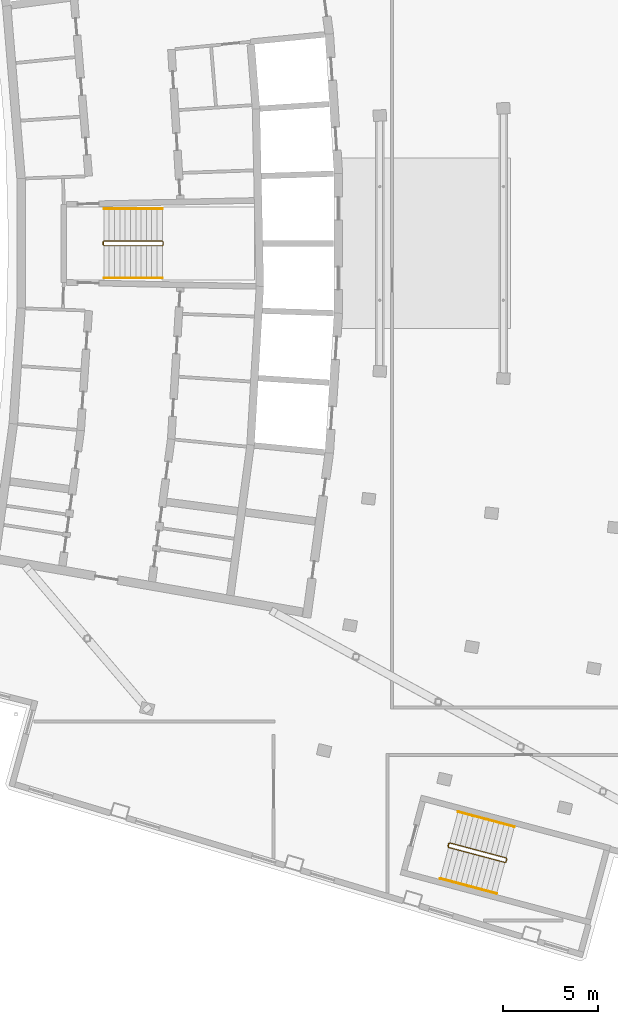
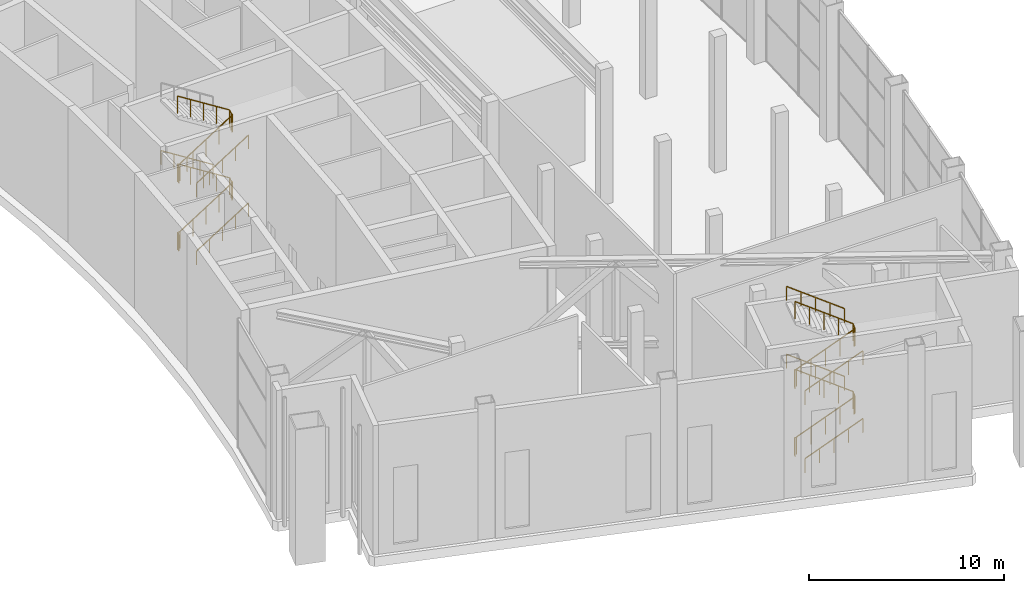
# One storey, part 23 of 25: 9 railings.
"""IFC4 building model written with IfcOpenShell, lengths in metres."""

from ifc_helpers import new_model, si_unit, direction, frame, origin, origin_with_axes, origin_2d, place, context, subcontext, project, spatial, rectangle, extrude, material, type_object, element, save


model = new_model("IFC4")

# Units and contexts
model_context = context("Model", 3, precision=1e-05, world=origin(), true_north=direction((0.0, 1.0)))
body_context = subcontext(model_context, "Body", "Model", "MODEL_VIEW")
ifc_project = project(units=[si_unit("LENGTHUNIT", "METRE"), si_unit("AREAUNIT", "SQUARE_METRE"), si_unit("VOLUMEUNIT", "CUBIC_METRE"), si_unit("PLANEANGLEUNIT", "RADIAN"), si_unit("MASSUNIT", "GRAM", prefix="KILO")], contexts=[model_context])

# Site, building, storey
site_placement = place(None, origin())
site = spatial("IfcSite", under=ifc_project, at=site_placement, CompositionType="ELEMENT")
building_placement = place(site_placement, origin())
building = spatial("IfcBuilding", under=site, at=building_placement, Name="Alderwake Tower", CompositionType="ELEMENT")
storey_placement = place(building_placement, frame((0.0, 0.0, 296.0)))
storey = spatial("IfcBuildingStorey", under=building, at=storey_placement, Name="L73", CompositionType="ELEMENT", Elevation=296.0)

# Railings
ifc_material_1 = material(Name="Stainless steel guard", Category="steel")
railing_type_1 = type_object("IfcRailingType", Name="Stair guard 1100", PredefinedType="GUARDRAIL", material=ifc_material_1)
railing_1_placement = place(storey_placement, frame((20.989990234375, 60.925048828125, 0.0)))
element("IfcRailing", 1, at=railing_1_placement, inside=storey, type_object=railing_type_1, Name="L73 ST-B stair guard 1", PredefinedType="GUARDRAIL", context=body_context, shape_type="SweptSolid", body=[
    extrude(rectangle(XDim=0.048095703125, YDim=0.048095703125, at=origin_2d()), frame((0.0, 0.0, 1.076171875), z_axis=(0.0, 1.0, 0.0), x_axis=(-1.0, 0.0, 0.0)), (0.0, 0.0, 1.0), 0.14990234375),
    extrude(rectangle(XDim=0.048095703125, YDim=0.048095703125, at=origin_2d()), frame((0.0, 0.14990234375, 1.076171875), z_axis=(0.184213502759, -0.735955408585, 0.651486778051), x_axis=(0.970072785993, 0.242814311512, 0.0)), (0.0, 0.0, 1.0), 0.271728515625),
    extrude(rectangle(XDim=0.048095703125, YDim=0.048095703125, at=origin_2d()), frame((0.050048828125, -0.050048828125, 1.2529296875), z_axis=(0.845156040024, 0.0, 0.534519661014), x_axis=(0.0, 1.0, 0.0)), (0.0, 0.0, 1.0), 3.644287109375),
    extrude(rectangle(XDim=0.048095703125, YDim=0.048095703125, at=origin_2d()), frame((3.130126953125, -0.050048828125, 3.201171875), z_axis=(0.705375805398, 0.708833529934, 0.0), x_axis=(-0.708833529934, 0.705375805398, 0.0)), (0.0, 0.0, 1.0), 0.070556640625),
    extrude(rectangle(XDim=0.048095703125, YDim=0.048095703125, at=origin_2d()), frame((3.179931640625, 0.0, 3.201171875), z_axis=(0.0, 1.0, 0.0), x_axis=(-1.0, 0.0, 0.0)), (0.0, 0.0, 1.0), 0.14990234375),
    extrude(rectangle(XDim=0.048095703125, YDim=0.048095703125, at=origin_2d()), frame((3.179931640625, 0.14990234375, 3.201171875), z_axis=(-0.261352522353, 0.262633662168, 0.928826366204), x_axis=(-0.708833529934, -0.705375805398, 0.0)), (0.0, 0.0, 1.0), 0.190673828125),
    extrude(rectangle(XDim=0.048095703125, YDim=0.048095703125, at=origin_2d()), frame((3.130126953125, 0.199951171875, 3.3779296875), z_axis=(-0.845156040024, 0.0, 0.534519661014), x_axis=(0.0, -1.0, 0.0)), (0.0, 0.0, 1.0), 3.644287109375),
    extrude(rectangle(XDim=0.048095703125, YDim=0.048095703125, at=origin_2d()), frame((0.050048828125, 0.199951171875, 5.326171875), z_axis=(-0.242814311512, -0.970072785993, 0.0), x_axis=(0.970072785993, -0.242814311512, 0.0)), (0.0, 0.0, 1.0), 0.2060546875),
    extrude(rectangle(XDim=0.048095703125, YDim=0.048095703125, at=origin_2d()), frame((0.0, 0.0, 5.326171875), z_axis=(0.0, 1.0, 0.0), x_axis=(-1.0, 0.0, 0.0)), (0.0, 0.0, 1.0), 0.14990234375),
    extrude(rectangle(XDim=0.048095703125, YDim=0.048095703125, at=origin_2d()), frame((0.0, 0.14990234375, 5.326171875), z_axis=(0.184213502759, -0.735955408585, 0.651486778051), x_axis=(0.970072785993, 0.242814311512, 0.0)), (0.0, 0.0, 1.0), 0.271728515625),
    extrude(rectangle(XDim=0.048095703125, YDim=0.048095703125, at=origin_2d()), frame((0.050048828125, -0.050048828125, 5.5029296875), z_axis=(0.845156040024, 0.0, 0.534519661014), x_axis=(0.0, 1.0, 0.0)), (0.0, 0.0, 1.0), 3.644287109375),
    extrude(rectangle(XDim=0.048095703125, YDim=0.048095703125, at=origin_2d()), frame((3.130126953125, -0.050048828125, 7.451171875), z_axis=(0.705375805398, 0.708833529934, 0.0), x_axis=(-0.708833529934, 0.705375805398, 0.0)), (0.0, 0.0, 1.0), 0.070556640625),
    extrude(rectangle(XDim=0.048095703125, YDim=0.048095703125, at=origin_2d()), frame((3.179931640625, 0.0, 7.451171875), z_axis=(0.0, 1.0, 0.0), x_axis=(-1.0, 0.0, 0.0)), (0.0, 0.0, 1.0), 0.14990234375),
    extrude(rectangle(XDim=0.048095703125, YDim=0.048095703125, at=origin_2d()), frame((3.179931640625, 0.14990234375, 7.451171875), z_axis=(-0.261352522353, 0.262633662168, 0.928826366204), x_axis=(-0.708833529934, -0.705375805398, 0.0)), (0.0, 0.0, 1.0), 0.190673828125),
    extrude(rectangle(XDim=0.048095703125, YDim=0.048095703125, at=origin_2d()), frame((3.130126953125, 0.199951171875, 7.6279296875), z_axis=(-0.845156040024, 0.0, 0.534519661014), x_axis=(0.0, -1.0, 0.0)), (0.0, 0.0, 1.0), 3.644287109375),
    extrude(rectangle(XDim=0.0419921875, YDim=0.0419921875, at=origin_2d()), frame((0.0, 0.0, 0.0), z_axis=(0.0, 0.0, 1.0), x_axis=(0.0, 1.0, 0.0)), (0.0, 0.0, 1.0), 1.052001953125),
    extrude(rectangle(XDim=0.0419921875, YDim=0.0419921875, at=origin_2d()), frame((0.0, 0.14990234375, 0.0), z_axis=(0.0, 0.0, 1.0), x_axis=(0.242814311512, -0.970072785993, 0.0)), (0.0, 0.0, 1.0), 1.052001953125),
    extrude(rectangle(XDim=0.0419921875, YDim=0.0419921875, at=origin_2d()), frame((0.050048828125, -0.050048828125, 0.177001953125), z_axis=(0.0, 0.0, 1.0), x_axis=(1.0, 0.0, 0.0)), (0.0, 0.0, 1.0), 1.052001953125),
    extrude(rectangle(XDim=0.0419921875, YDim=0.0419921875, at=origin_2d()), frame((0.820068359375, -0.050048828125, 0.6640625), z_axis=(0.0, 0.0, 1.0), x_axis=(1.0, 0.0, 0.0)), (0.0, 0.0, 1.0), 1.052001953125),
    extrude(rectangle(XDim=0.0419921875, YDim=0.0419921875, at=origin_2d()), frame((1.590087890625, -0.050048828125, 1.15087890625), z_axis=(0.0, 0.0, 1.0), x_axis=(1.0, 0.0, 0.0)), (0.0, 0.0, 1.0), 1.052001953125),
    extrude(rectangle(XDim=0.0419921875, YDim=0.0419921875, at=origin_2d()), frame((2.360107421875, -0.050048828125, 1.637939453125), z_axis=(0.0, 0.0, 1.0), x_axis=(1.0, 0.0, 0.0)), (0.0, 0.0, 1.0), 1.052001953125),
    extrude(rectangle(XDim=0.0419921875, YDim=0.0419921875, at=origin_2d()), frame((3.130126953125, -0.050048828125, 2.125), z_axis=(0.0, 0.0, 1.0), x_axis=(0.705375805398, 0.708833529934, 0.0)), (0.0, 0.0, 1.0), 1.052001953125),
    extrude(rectangle(XDim=0.0419921875, YDim=0.0419921875, at=origin_2d()), frame((3.179931640625, 0.0, 2.125), z_axis=(0.0, 0.0, 1.0), x_axis=(0.0, 1.0, 0.0)), (0.0, 0.0, 1.0), 1.052001953125),
    extrude(rectangle(XDim=0.0419921875, YDim=0.0419921875, at=origin_2d()), frame((3.179931640625, 0.14990234375, 2.125), z_axis=(0.0, 0.0, 1.0), x_axis=(-0.705375805398, 0.708833529934, 0.0)), (0.0, 0.0, 1.0), 1.052001953125),
    extrude(rectangle(XDim=0.0419921875, YDim=0.0419921875, at=origin_2d()), frame((3.130126953125, 0.199951171875, 2.302001953125), z_axis=(0.0, 0.0, 1.0), x_axis=(-1.0, 0.0, 0.0)), (0.0, 0.0, 1.0), 1.052001953125),
    extrude(rectangle(XDim=0.0419921875, YDim=0.0419921875, at=origin_2d()), frame((2.360107421875, 0.199951171875, 2.7890625), z_axis=(0.0, 0.0, 1.0), x_axis=(-1.0, 0.0, 0.0)), (0.0, 0.0, 1.0), 1.052001953125),
    extrude(rectangle(XDim=0.0419921875, YDim=0.0419921875, at=origin_2d()), frame((1.590087890625, 0.199951171875, 3.27587890625), z_axis=(0.0, 0.0, 1.0), x_axis=(-1.0, 0.0, 0.0)), (0.0, 0.0, 1.0), 1.052001953125),
    extrude(rectangle(XDim=0.0419921875, YDim=0.0419921875, at=origin_2d()), frame((0.820068359375, 0.199951171875, 3.762939453125), z_axis=(0.0, 0.0, 1.0), x_axis=(-1.0, 0.0, 0.0)), (0.0, 0.0, 1.0), 1.052001953125),
    extrude(rectangle(XDim=0.0419921875, YDim=0.0419921875, at=origin_2d()), frame((0.050048828125, 0.199951171875, 4.25), z_axis=(0.0, 0.0, 1.0), x_axis=(-0.242814311512, -0.970072785993, 0.0)), (0.0, 0.0, 1.0), 1.052001953125),
    extrude(rectangle(XDim=0.0419921875, YDim=0.0419921875, at=origin_2d()), frame((0.0, 0.0, 4.25), z_axis=(0.0, 0.0, 1.0), x_axis=(0.0, 1.0, 0.0)), (0.0, 0.0, 1.0), 1.052001953125),
    extrude(rectangle(XDim=0.0419921875, YDim=0.0419921875, at=origin_2d()), frame((0.0, 0.14990234375, 4.25), z_axis=(0.0, 0.0, 1.0), x_axis=(0.242814311512, -0.970072785993, 0.0)), (0.0, 0.0, 1.0), 1.052001953125),
    extrude(rectangle(XDim=0.0419921875, YDim=0.0419921875, at=origin_2d()), frame((0.050048828125, -0.050048828125, 4.427001953125), z_axis=(0.0, 0.0, 1.0), x_axis=(1.0, 0.0, 0.0)), (0.0, 0.0, 1.0), 1.052001953125),
    extrude(rectangle(XDim=0.0419921875, YDim=0.0419921875, at=origin_2d()), frame((0.820068359375, -0.050048828125, 4.9140625), z_axis=(0.0, 0.0, 1.0), x_axis=(1.0, 0.0, 0.0)), (0.0, 0.0, 1.0), 1.052001953125),
    extrude(rectangle(XDim=0.0419921875, YDim=0.0419921875, at=origin_2d()), frame((1.590087890625, -0.050048828125, 5.40087890625), z_axis=(0.0, 0.0, 1.0), x_axis=(1.0, 0.0, 0.0)), (0.0, 0.0, 1.0), 1.052001953125),
    extrude(rectangle(XDim=0.0419921875, YDim=0.0419921875, at=origin_2d()), frame((2.360107421875, -0.050048828125, 5.887939453125), z_axis=(0.0, 0.0, 1.0), x_axis=(1.0, 0.0, 0.0)), (0.0, 0.0, 1.0), 1.052001953125),
    extrude(rectangle(XDim=0.0419921875, YDim=0.0419921875, at=origin_2d()), frame((3.130126953125, -0.050048828125, 6.375), z_axis=(0.0, 0.0, 1.0), x_axis=(0.705375805398, 0.708833529934, 0.0)), (0.0, 0.0, 1.0), 1.052001953125),
    extrude(rectangle(XDim=0.0419921875, YDim=0.0419921875, at=origin_2d()), frame((3.179931640625, 0.0, 6.375), z_axis=(0.0, 0.0, 1.0), x_axis=(0.0, 1.0, 0.0)), (0.0, 0.0, 1.0), 1.052001953125),
    extrude(rectangle(XDim=0.0419921875, YDim=0.0419921875, at=origin_2d()), frame((3.179931640625, 0.14990234375, 6.375), z_axis=(0.0, 0.0, 1.0), x_axis=(-0.705375805398, 0.708833529934, 0.0)), (0.0, 0.0, 1.0), 1.052001953125),
    extrude(rectangle(XDim=0.0419921875, YDim=0.0419921875, at=origin_2d()), frame((3.130126953125, 0.199951171875, 6.552001953125), z_axis=(0.0, 0.0, 1.0), x_axis=(-1.0, 0.0, 0.0)), (0.0, 0.0, 1.0), 1.052001953125),
    extrude(rectangle(XDim=0.0419921875, YDim=0.0419921875, at=origin_2d()), frame((2.360107421875, 0.199951171875, 7.0390625), z_axis=(0.0, 0.0, 1.0), x_axis=(-1.0, 0.0, 0.0)), (0.0, 0.0, 1.0), 1.052001953125),
    extrude(rectangle(XDim=0.0419921875, YDim=0.0419921875, at=origin_2d()), frame((1.590087890625, 0.199951171875, 7.52587890625), z_axis=(0.0, 0.0, 1.0), x_axis=(-1.0, 0.0, 0.0)), (0.0, 0.0, 1.0), 1.052001953125),
    extrude(rectangle(XDim=0.0419921875, YDim=0.0419921875, at=origin_2d()), frame((0.820068359375, 0.199951171875, 8.012939453125), z_axis=(0.0, 0.0, 1.0), x_axis=(-1.0, 0.0, 0.0)), (0.0, 0.0, 1.0), 1.052001953125),
    extrude(rectangle(XDim=0.0419921875, YDim=0.0419921875, at=origin_2d()), frame((0.050048828125, 0.199951171875, 8.5), z_axis=(0.0, 0.0, 1.0), x_axis=(-1.0, 0.0, 0.0)), (0.0, 0.0, 1.0), 1.052001953125),
])
railing_2_placement = place(storey_placement, frame((39.1943359375, 29.17431640625, 0.0)))
element("IfcRailing", 2, at=railing_2_placement, inside=storey, type_object=railing_type_1, Name="L73 ST-C stair guard 1", PredefinedType="GUARDRAIL", context=body_context, shape_type="SweptSolid", body=[
    extrude(rectangle(XDim=0.048095703125, YDim=0.048095703125, at=origin_2d()), frame((0.0, 0.0, 1.076171875), z_axis=(0.257459803502, 0.966289009345, 0.0), x_axis=(-0.966289009345, 0.257459803502, 0.0)), (0.0, 0.0, 1.0), 0.14990234375),
    extrude(rectangle(XDim=0.048095703125, YDim=0.048095703125, at=origin_2d()), frame((0.03857421875, 0.144775390625, 1.076171875), z_axis=(-0.011683157433, -0.758506528736, 0.651560703002), x_axis=(0.999881397308, -0.015401016783, 0.0)), (0.0, 0.0, 1.0), 0.271728515625),
    extrude(rectangle(XDim=0.048095703125, YDim=0.048095703125, at=origin_2d()), frame((0.035400390625, -0.061279296875, 1.2529296875), z_axis=(0.816684884106, -0.217519138601, 0.534519620234), x_axis=(0.25737156414, 0.966312515686, 0.0)), (0.0, 0.0, 1.0), 3.644287109375),
    extrude(rectangle(XDim=0.048095703125, YDim=0.048095703125, at=origin_2d()), frame((3.01171875, -0.85400390625, 3.201171875), z_axis=(0.865031189262, 0.501718089772, 0.0), x_axis=(-0.501718089772, 0.865031189262, 0.0)), (0.0, 0.0, 1.0), 0.070556640625),
    extrude(rectangle(XDim=0.048095703125, YDim=0.048095703125, at=origin_2d()), frame((3.07275390625, -0.818603515625, 3.201171875), z_axis=(0.258573505099, 0.965991585088, 0.0), x_axis=(-0.965991585088, 0.258573505099, 0.0)), (0.0, 0.0, 1.0), 0.150146484375),
    extrude(rectangle(XDim=0.048095703125, YDim=0.048095703125, at=origin_2d()), frame((3.111572265625, -0.673583984375, 3.201171875), z_axis=(-0.186942732355, 0.321387848089, 0.928311513405), x_axis=(-0.864402767194, -0.502800015978, 0.0)), (0.0, 0.0, 1.0), 0.190673828125),
    extrude(rectangle(XDim=0.048095703125, YDim=0.048095703125, at=origin_2d()), frame((3.075927734375, -0.6123046875, 3.3779296875), z_axis=(-0.816662572609, 0.217531039644, 0.534548865205), x_axis=(-0.257391278765, -0.966307264598, 0.0)), (0.0, 0.0, 1.0), 3.644287109375),
    extrude(rectangle(XDim=0.048095703125, YDim=0.048095703125, at=origin_2d()), frame((0.099853515625, 0.180419921875, 5.326171875), z_axis=(-0.484234966715, -0.874937996095, 0.0), x_axis=(0.874937996095, -0.484234966715, 0.0)), (0.0, 0.0, 1.0), 0.206298828125),
    extrude(rectangle(XDim=0.048095703125, YDim=0.048095703125, at=origin_2d()), frame((0.0, 0.0, 5.326171875), z_axis=(0.257459803502, 0.966289009345, 0.0), x_axis=(-0.966289009345, 0.257459803502, 0.0)), (0.0, 0.0, 1.0), 0.14990234375),
    extrude(rectangle(XDim=0.048095703125, YDim=0.048095703125, at=origin_2d()), frame((0.03857421875, 0.144775390625, 5.326171875), z_axis=(-0.011683157433, -0.758506528736, 0.651560703002), x_axis=(0.999881397308, -0.015401016783, 0.0)), (0.0, 0.0, 1.0), 0.271728515625),
    extrude(rectangle(XDim=0.048095703125, YDim=0.048095703125, at=origin_2d()), frame((0.035400390625, -0.061279296875, 5.5029296875), z_axis=(0.816684884106, -0.217519138601, 0.534519620234), x_axis=(0.25737156414, 0.966312515686, 0.0)), (0.0, 0.0, 1.0), 3.644287109375),
    extrude(rectangle(XDim=0.048095703125, YDim=0.048095703125, at=origin_2d()), frame((3.01171875, -0.85400390625, 7.451171875), z_axis=(0.865031189262, 0.501718089772, 0.0), x_axis=(-0.501718089772, 0.865031189262, 0.0)), (0.0, 0.0, 1.0), 0.070556640625),
    extrude(rectangle(XDim=0.048095703125, YDim=0.048095703125, at=origin_2d()), frame((3.07275390625, -0.818603515625, 7.451171875), z_axis=(0.258573505099, 0.965991585088, 0.0), x_axis=(-0.965991585088, 0.258573505099, 0.0)), (0.0, 0.0, 1.0), 0.150146484375),
    extrude(rectangle(XDim=0.048095703125, YDim=0.048095703125, at=origin_2d()), frame((3.111572265625, -0.673583984375, 7.451171875), z_axis=(-0.186942732355, 0.321387848089, 0.928311513405), x_axis=(-0.864402767194, -0.502800015978, 0.0)), (0.0, 0.0, 1.0), 0.190673828125),
    extrude(rectangle(XDim=0.048095703125, YDim=0.048095703125, at=origin_2d()), frame((3.075927734375, -0.6123046875, 7.6279296875), z_axis=(-0.816662572609, 0.217531039644, 0.534548865205), x_axis=(-0.257391278765, -0.966307264598, 0.0)), (0.0, 0.0, 1.0), 3.644287109375),
    extrude(rectangle(XDim=0.0419921875, YDim=0.0419921875, at=origin_2d()), frame((0.0, 0.0, 0.0), z_axis=(0.0, 0.0, 1.0), x_axis=(0.257459803502, 0.966289009345, 0.0)), (0.0, 0.0, 1.0), 1.052001953125),
    extrude(rectangle(XDim=0.0419921875, YDim=0.0419921875, at=origin_2d()), frame((0.03857421875, 0.144775390625, 0.0), z_axis=(0.0, 0.0, 1.0), x_axis=(-0.015401016783, -0.999881397308, 0.0)), (0.0, 0.0, 1.0), 1.052001953125),
    extrude(rectangle(XDim=0.0419921875, YDim=0.0419921875, at=origin_2d()), frame((0.035400390625, -0.061279296875, 0.177001953125), z_axis=(0.0, 0.0, 1.0), x_axis=(0.966312515686, -0.25737156414, 0.0)), (0.0, 0.0, 1.0), 1.052001953125),
    extrude(rectangle(XDim=0.0419921875, YDim=0.0419921875, at=origin_2d()), frame((0.779541015625, -0.259521484375, 0.6640625), z_axis=(0.0, 0.0, 1.0), x_axis=(0.966312515686, -0.25737156414, 0.0)), (0.0, 0.0, 1.0), 1.052001953125),
    extrude(rectangle(XDim=0.0419921875, YDim=0.0419921875, at=origin_2d()), frame((1.5234375, -0.45751953125, 1.15087890625), z_axis=(0.0, 0.0, 1.0), x_axis=(0.966312515686, -0.25737156414, 0.0)), (0.0, 0.0, 1.0), 1.052001953125),
    extrude(rectangle(XDim=0.0419921875, YDim=0.0419921875, at=origin_2d()), frame((2.267578125, -0.65576171875, 1.637939453125), z_axis=(0.0, 0.0, 1.0), x_axis=(0.966312515686, -0.25737156414, 0.0)), (0.0, 0.0, 1.0), 1.052001953125),
    extrude(rectangle(XDim=0.0419921875, YDim=0.0419921875, at=origin_2d()), frame((3.01171875, -0.85400390625, 2.125), z_axis=(0.0, 0.0, 1.0), x_axis=(0.865031189262, 0.501718089772, 0.0)), (0.0, 0.0, 1.0), 1.052001953125),
    extrude(rectangle(XDim=0.0419921875, YDim=0.0419921875, at=origin_2d()), frame((3.07275390625, -0.818603515625, 2.125), z_axis=(0.0, 0.0, 1.0), x_axis=(0.258573505099, 0.965991585088, 0.0)), (0.0, 0.0, 1.0), 1.052001953125),
    extrude(rectangle(XDim=0.0419921875, YDim=0.0419921875, at=origin_2d()), frame((3.111572265625, -0.673583984375, 2.125), z_axis=(0.0, 0.0, 1.0), x_axis=(-0.502800015978, 0.864402767194, 0.0)), (0.0, 0.0, 1.0), 1.052001953125),
    extrude(rectangle(XDim=0.0419921875, YDim=0.0419921875, at=origin_2d()), frame((3.075927734375, -0.6123046875, 2.302001953125), z_axis=(0.0, 0.0, 1.0), x_axis=(-0.966307264598, 0.257391278765, 0.0)), (0.0, 0.0, 1.0), 1.052001953125),
    extrude(rectangle(XDim=0.0419921875, YDim=0.0419921875, at=origin_2d()), frame((2.33203125, -0.4140625, 2.7890625), z_axis=(0.0, 0.0, 1.0), x_axis=(-0.966307264598, 0.257391278765, 0.0)), (0.0, 0.0, 1.0), 1.052001953125),
    extrude(rectangle(XDim=0.0419921875, YDim=0.0419921875, at=origin_2d()), frame((1.587890625, -0.2158203125, 3.27587890625), z_axis=(0.0, 0.0, 1.0), x_axis=(-0.966307264598, 0.257391278765, 0.0)), (0.0, 0.0, 1.0), 1.052001953125),
    extrude(rectangle(XDim=0.0419921875, YDim=0.0419921875, at=origin_2d()), frame((0.84375, -0.017822265625, 3.762939453125), z_axis=(0.0, 0.0, 1.0), x_axis=(-0.966307264598, 0.257391278765, 0.0)), (0.0, 0.0, 1.0), 1.052001953125),
    extrude(rectangle(XDim=0.0419921875, YDim=0.0419921875, at=origin_2d()), frame((0.099853515625, 0.180419921875, 4.25), z_axis=(0.0, 0.0, 1.0), x_axis=(-0.484234966715, -0.874937996095, 0.0)), (0.0, 0.0, 1.0), 1.052001953125),
    extrude(rectangle(XDim=0.0419921875, YDim=0.0419921875, at=origin_2d()), frame((0.0, 0.0, 4.25), z_axis=(0.0, 0.0, 1.0), x_axis=(0.257459803502, 0.966289009345, 0.0)), (0.0, 0.0, 1.0), 1.052001953125),
    extrude(rectangle(XDim=0.0419921875, YDim=0.0419921875, at=origin_2d()), frame((0.03857421875, 0.144775390625, 4.25), z_axis=(0.0, 0.0, 1.0), x_axis=(-0.015401016783, -0.999881397308, 0.0)), (0.0, 0.0, 1.0), 1.052001953125),
    extrude(rectangle(XDim=0.0419921875, YDim=0.0419921875, at=origin_2d()), frame((0.035400390625, -0.061279296875, 4.427001953125), z_axis=(0.0, 0.0, 1.0), x_axis=(0.966312515686, -0.25737156414, 0.0)), (0.0, 0.0, 1.0), 1.052001953125),
    extrude(rectangle(XDim=0.0419921875, YDim=0.0419921875, at=origin_2d()), frame((0.779541015625, -0.259521484375, 4.9140625), z_axis=(0.0, 0.0, 1.0), x_axis=(0.966312515686, -0.25737156414, 0.0)), (0.0, 0.0, 1.0), 1.052001953125),
    extrude(rectangle(XDim=0.0419921875, YDim=0.0419921875, at=origin_2d()), frame((1.5234375, -0.45751953125, 5.40087890625), z_axis=(0.0, 0.0, 1.0), x_axis=(0.966312515686, -0.25737156414, 0.0)), (0.0, 0.0, 1.0), 1.052001953125),
    extrude(rectangle(XDim=0.0419921875, YDim=0.0419921875, at=origin_2d()), frame((2.267578125, -0.65576171875, 5.887939453125), z_axis=(0.0, 0.0, 1.0), x_axis=(0.966312515686, -0.25737156414, 0.0)), (0.0, 0.0, 1.0), 1.052001953125),
    extrude(rectangle(XDim=0.0419921875, YDim=0.0419921875, at=origin_2d()), frame((3.01171875, -0.85400390625, 6.375), z_axis=(0.0, 0.0, 1.0), x_axis=(0.865031189262, 0.501718089772, 0.0)), (0.0, 0.0, 1.0), 1.052001953125),
    extrude(rectangle(XDim=0.0419921875, YDim=0.0419921875, at=origin_2d()), frame((3.07275390625, -0.818603515625, 6.375), z_axis=(0.0, 0.0, 1.0), x_axis=(0.258573505099, 0.965991585088, 0.0)), (0.0, 0.0, 1.0), 1.052001953125),
    extrude(rectangle(XDim=0.0419921875, YDim=0.0419921875, at=origin_2d()), frame((3.111572265625, -0.673583984375, 6.375), z_axis=(0.0, 0.0, 1.0), x_axis=(-0.502800015978, 0.864402767194, 0.0)), (0.0, 0.0, 1.0), 1.052001953125),
    extrude(rectangle(XDim=0.0419921875, YDim=0.0419921875, at=origin_2d()), frame((3.075927734375, -0.6123046875, 6.552001953125), z_axis=(0.0, 0.0, 1.0), x_axis=(-0.966307264598, 0.257391278765, 0.0)), (0.0, 0.0, 1.0), 1.052001953125),
    extrude(rectangle(XDim=0.0419921875, YDim=0.0419921875, at=origin_2d()), frame((2.33203125, -0.4140625, 7.0390625), z_axis=(0.0, 0.0, 1.0), x_axis=(-0.966307264598, 0.257391278765, 0.0)), (0.0, 0.0, 1.0), 1.052001953125),
    extrude(rectangle(XDim=0.0419921875, YDim=0.0419921875, at=origin_2d()), frame((1.587890625, -0.2158203125, 7.52587890625), z_axis=(0.0, 0.0, 1.0), x_axis=(-0.966307264598, 0.257391278765, 0.0)), (0.0, 0.0, 1.0), 1.052001953125),
    extrude(rectangle(XDim=0.0419921875, YDim=0.0419921875, at=origin_2d()), frame((0.84375, -0.017822265625, 8.012939453125), z_axis=(0.0, 0.0, 1.0), x_axis=(-0.966307264598, 0.257391278765, 0.0)), (0.0, 0.0, 1.0), 1.052001953125),
    extrude(rectangle(XDim=0.0419921875, YDim=0.0419921875, at=origin_2d()), frame((0.099853515625, 0.180419921875, 8.5), z_axis=(0.0, 0.0, 1.0), x_axis=(-0.966307264598, 0.257391278765, 0.0)), (0.0, 0.0, 1.0), 1.052001953125),
])
ifc_material_2 = material(Name="Stainless steel handrail", Category="steel")
railing_type_2 = type_object("IfcRailingType", Name="Stair handrail 900", PredefinedType="HANDRAIL", material=ifc_material_2)
railing_3_placement = place(storey_placement, frame((21.0400390625, 59.175048828125, 0.177001953125)))
element("IfcRailing", 3, at=railing_3_placement, inside=storey, type_object=railing_type_2, Name="L73 ST-B stair handrail 1", PredefinedType="HANDRAIL", context=body_context, shape_type="SweptSolid", body=[
    extrude(rectangle(XDim=0.048095703125, YDim=0.048095703125, at=origin_2d()), frame((0.0, 0.0, 0.8759765625), z_axis=(0.845156040024, 0.0, 0.534519661014), x_axis=(0.0, 1.0, 0.0)), (0.0, 0.0, 1.0), 3.644287109375),
    extrude(rectangle(XDim=0.0419921875, YDim=0.0419921875, at=origin_2d()), origin_with_axes(), (0.0, 0.0, 1.0), 0.851806640625),
    extrude(rectangle(XDim=0.0419921875, YDim=0.0419921875, at=origin_2d()), frame((0.77001953125, 0.0, 0.487060546875), z_axis=(0.0, 0.0, 1.0), x_axis=(1.0, 0.0, 0.0)), (0.0, 0.0, 1.0), 0.851806640625),
    extrude(rectangle(XDim=0.0419921875, YDim=0.0419921875, at=origin_2d()), frame((1.5400390625, 0.0, 0.97412109375), z_axis=(0.0, 0.0, 1.0), x_axis=(1.0, 0.0, 0.0)), (0.0, 0.0, 1.0), 0.851806640625),
    extrude(rectangle(XDim=0.0419921875, YDim=0.0419921875, at=origin_2d()), frame((2.31005859375, 0.0, 1.4609375), z_axis=(0.0, 0.0, 1.0), x_axis=(1.0, 0.0, 0.0)), (0.0, 0.0, 1.0), 0.851806640625),
    extrude(rectangle(XDim=0.0419921875, YDim=0.0419921875, at=origin_2d()), frame((3.080078125, 0.0, 1.947998046875), z_axis=(0.0, 0.0, 1.0), x_axis=(1.0, 0.0, 0.0)), (0.0, 0.0, 1.0), 0.851806640625),
])
railing_4_placement = place(storey_placement, frame((24.1201171875, 62.824951171875, 2.302001953125)))
element("IfcRailing", 4, at=railing_4_placement, inside=storey, type_object=railing_type_2, Name="L73 ST-B stair handrail 2", PredefinedType="HANDRAIL", context=body_context, shape_type="SweptSolid", body=[
    extrude(rectangle(XDim=0.048095703125, YDim=0.048095703125, at=origin_2d()), frame((0.0, 0.0, 0.8759765625), z_axis=(-0.845156040024, 0.0, 0.534519661014), x_axis=(0.0, -1.0, 0.0)), (0.0, 0.0, 1.0), 3.644287109375),
    extrude(rectangle(XDim=0.0419921875, YDim=0.0419921875, at=origin_2d()), frame((0.0, 0.0, 0.0), z_axis=(0.0, 0.0, 1.0), x_axis=(-1.0, 0.0, 0.0)), (0.0, 0.0, 1.0), 0.851806640625),
    extrude(rectangle(XDim=0.0419921875, YDim=0.0419921875, at=origin_2d()), frame((-0.77001953125, 0.0, 0.487060546875), z_axis=(0.0, 0.0, 1.0), x_axis=(-1.0, 0.0, 0.0)), (0.0, 0.0, 1.0), 0.851806640625),
    extrude(rectangle(XDim=0.0419921875, YDim=0.0419921875, at=origin_2d()), frame((-1.5400390625, 0.0, 0.97412109375), z_axis=(0.0, 0.0, 1.0), x_axis=(-1.0, 0.0, 0.0)), (0.0, 0.0, 1.0), 0.851806640625),
    extrude(rectangle(XDim=0.0419921875, YDim=0.0419921875, at=origin_2d()), frame((-2.31005859375, 0.0, 1.4609375), z_axis=(0.0, 0.0, 1.0), x_axis=(-1.0, 0.0, 0.0)), (0.0, 0.0, 1.0), 0.851806640625),
    extrude(rectangle(XDim=0.0419921875, YDim=0.0419921875, at=origin_2d()), frame((-3.080078125, 0.0, 1.947998046875), z_axis=(0.0, 0.0, 1.0), x_axis=(-1.0, 0.0, 0.0)), (0.0, 0.0, 1.0), 0.851806640625),
])
railing_5_placement = place(storey_placement, frame((21.0400390625, 59.175048828125, 4.427001953125)))
element("IfcRailing", 5, at=railing_5_placement, inside=storey, type_object=railing_type_2, Name="L73 ST-B stair handrail 3", PredefinedType="HANDRAIL", context=body_context, shape_type="SweptSolid", body=[
    extrude(rectangle(XDim=0.048095703125, YDim=0.048095703125, at=origin_2d()), frame((0.0, 0.0, 0.8759765625), z_axis=(0.845156040024, 0.0, 0.534519661014), x_axis=(0.0, 1.0, 0.0)), (0.0, 0.0, 1.0), 3.644287109375),
    extrude(rectangle(XDim=0.0419921875, YDim=0.0419921875, at=origin_2d()), origin_with_axes(), (0.0, 0.0, 1.0), 0.851806640625),
    extrude(rectangle(XDim=0.0419921875, YDim=0.0419921875, at=origin_2d()), frame((0.77001953125, 0.0, 0.487060546875), z_axis=(0.0, 0.0, 1.0), x_axis=(1.0, 0.0, 0.0)), (0.0, 0.0, 1.0), 0.851806640625),
    extrude(rectangle(XDim=0.0419921875, YDim=0.0419921875, at=origin_2d()), frame((1.5400390625, 0.0, 0.97412109375), z_axis=(0.0, 0.0, 1.0), x_axis=(1.0, 0.0, 0.0)), (0.0, 0.0, 1.0), 0.851806640625),
    extrude(rectangle(XDim=0.0419921875, YDim=0.0419921875, at=origin_2d()), frame((2.31005859375, 0.0, 1.4609375), z_axis=(0.0, 0.0, 1.0), x_axis=(1.0, 0.0, 0.0)), (0.0, 0.0, 1.0), 0.851806640625),
    extrude(rectangle(XDim=0.0419921875, YDim=0.0419921875, at=origin_2d()), frame((3.080078125, 0.0, 1.947998046875), z_axis=(0.0, 0.0, 1.0), x_axis=(1.0, 0.0, 0.0)), (0.0, 0.0, 1.0), 0.851806640625),
])
railing_6_placement = place(storey_placement, frame((38.792236328125, 27.47021484375, 0.177001953125)))
element("IfcRailing", 6, at=railing_6_placement, inside=storey, type_object=railing_type_2, Name="L73 ST-C stair handrail 1", PredefinedType="HANDRAIL", context=body_context, shape_type="SweptSolid", body=[
    extrude(rectangle(XDim=0.048095703125, YDim=0.048095703125, at=origin_2d()), frame((0.0, 0.0, 0.8759765625), z_axis=(0.816684884106, -0.217519138601, 0.534519620234), x_axis=(0.25737156414, 0.966312515686, 0.0)), (0.0, 0.0, 1.0), 3.644287109375),
    extrude(rectangle(XDim=0.0419921875, YDim=0.0419921875, at=origin_2d()), frame((0.0, 0.0, 0.0), z_axis=(0.0, 0.0, 1.0), x_axis=(0.966312515686, -0.25737156414, 0.0)), (0.0, 0.0, 1.0), 0.851806640625),
    extrude(rectangle(XDim=0.0419921875, YDim=0.0419921875, at=origin_2d()), frame((0.744140625, -0.1982421875, 0.487060546875), z_axis=(0.0, 0.0, 1.0), x_axis=(0.966312515686, -0.25737156414, 0.0)), (0.0, 0.0, 1.0), 0.851806640625),
    extrude(rectangle(XDim=0.0419921875, YDim=0.0419921875, at=origin_2d()), frame((1.48828125, -0.396484375, 0.97412109375), z_axis=(0.0, 0.0, 1.0), x_axis=(0.966312515686, -0.25737156414, 0.0)), (0.0, 0.0, 1.0), 0.851806640625),
    extrude(rectangle(XDim=0.0419921875, YDim=0.0419921875, at=origin_2d()), frame((2.232177734375, -0.594482421875, 1.4609375), z_axis=(0.0, 0.0, 1.0), x_axis=(0.966312515686, -0.25737156414, 0.0)), (0.0, 0.0, 1.0), 0.851806640625),
    extrude(rectangle(XDim=0.0419921875, YDim=0.0419921875, at=origin_2d()), frame((2.976318359375, -0.792724609375, 1.947998046875), z_axis=(0.0, 0.0, 1.0), x_axis=(0.966312515686, -0.25737156414, 0.0)), (0.0, 0.0, 1.0), 0.851806640625),
])
railing_7_placement = place(storey_placement, frame((42.7080078125, 30.20458984375, 2.302001953125)))
element("IfcRailing", 7, at=railing_7_placement, inside=storey, type_object=railing_type_2, Name="L73 ST-C stair handrail 2", PredefinedType="HANDRAIL", context=body_context, shape_type="SweptSolid", body=[
    extrude(rectangle(XDim=0.048095703125, YDim=0.048095703125, at=origin_2d()), frame((0.0, 0.0, 0.8759765625), z_axis=(-0.816684884106, 0.217519138601, 0.534519620234), x_axis=(-0.25737156414, -0.966312515686, 0.0)), (0.0, 0.0, 1.0), 3.644287109375),
    extrude(rectangle(XDim=0.0419921875, YDim=0.0419921875, at=origin_2d()), frame((0.0, 0.0, 0.0), z_axis=(0.0, 0.0, 1.0), x_axis=(-0.966312515686, 0.25737156414, 0.0)), (0.0, 0.0, 1.0), 0.851806640625),
    extrude(rectangle(XDim=0.0419921875, YDim=0.0419921875, at=origin_2d()), frame((-0.744140625, 0.1982421875, 0.487060546875), z_axis=(0.0, 0.0, 1.0), x_axis=(-0.966312515686, 0.25737156414, 0.0)), (0.0, 0.0, 1.0), 0.851806640625),
    extrude(rectangle(XDim=0.0419921875, YDim=0.0419921875, at=origin_2d()), frame((-1.48828125, 0.396484375, 0.97412109375), z_axis=(0.0, 0.0, 1.0), x_axis=(-0.966312515686, 0.25737156414, 0.0)), (0.0, 0.0, 1.0), 0.851806640625),
    extrude(rectangle(XDim=0.0419921875, YDim=0.0419921875, at=origin_2d()), frame((-2.232177734375, 0.594482421875, 1.4609375), z_axis=(0.0, 0.0, 1.0), x_axis=(-0.966312515686, 0.25737156414, 0.0)), (0.0, 0.0, 1.0), 0.851806640625),
    extrude(rectangle(XDim=0.0419921875, YDim=0.0419921875, at=origin_2d()), frame((-2.976318359375, 0.792724609375, 1.947998046875), z_axis=(0.0, 0.0, 1.0), x_axis=(-0.966312515686, 0.25737156414, 0.0)), (0.0, 0.0, 1.0), 0.851806640625),
])
railing_8_placement = place(storey_placement, frame((38.792236328125, 27.47021484375, 4.427001953125)))
element("IfcRailing", 8, at=railing_8_placement, inside=storey, type_object=railing_type_2, Name="L73 ST-C stair handrail 3", PredefinedType="HANDRAIL", context=body_context, shape_type="SweptSolid", body=[
    extrude(rectangle(XDim=0.048095703125, YDim=0.048095703125, at=origin_2d()), frame((0.0, 0.0, 0.8759765625), z_axis=(0.816684884106, -0.217519138601, 0.534519620234), x_axis=(0.25737156414, 0.966312515686, 0.0)), (0.0, 0.0, 1.0), 3.644287109375),
    extrude(rectangle(XDim=0.0419921875, YDim=0.0419921875, at=origin_2d()), frame((0.0, 0.0, 0.0), z_axis=(0.0, 0.0, 1.0), x_axis=(0.966312515686, -0.25737156414, 0.0)), (0.0, 0.0, 1.0), 0.851806640625),
    extrude(rectangle(XDim=0.0419921875, YDim=0.0419921875, at=origin_2d()), frame((0.744140625, -0.1982421875, 0.487060546875), z_axis=(0.0, 0.0, 1.0), x_axis=(0.966312515686, -0.25737156414, 0.0)), (0.0, 0.0, 1.0), 0.851806640625),
    extrude(rectangle(XDim=0.0419921875, YDim=0.0419921875, at=origin_2d()), frame((1.48828125, -0.396484375, 0.97412109375), z_axis=(0.0, 0.0, 1.0), x_axis=(0.966312515686, -0.25737156414, 0.0)), (0.0, 0.0, 1.0), 0.851806640625),
    extrude(rectangle(XDim=0.0419921875, YDim=0.0419921875, at=origin_2d()), frame((2.232177734375, -0.594482421875, 1.4609375), z_axis=(0.0, 0.0, 1.0), x_axis=(0.966312515686, -0.25737156414, 0.0)), (0.0, 0.0, 1.0), 0.851806640625),
    extrude(rectangle(XDim=0.0419921875, YDim=0.0419921875, at=origin_2d()), frame((2.976318359375, -0.792724609375, 1.947998046875), z_axis=(0.0, 0.0, 1.0), x_axis=(0.966312515686, -0.25737156414, 0.0)), (0.0, 0.0, 1.0), 0.851806640625),
])
railing_9_placement = place(storey_placement, frame((42.7080078125, 30.20458984375, 6.552001953125)))
element("IfcRailing", 9, at=railing_9_placement, inside=storey, type_object=railing_type_2, Name="L73 ST-C stair handrail 4", PredefinedType="HANDRAIL", context=body_context, shape_type="SweptSolid", body=[
    extrude(rectangle(XDim=0.048095703125, YDim=0.048095703125, at=origin_2d()), frame((0.0, 0.0, 0.8759765625), z_axis=(-0.816684884106, 0.217519138601, 0.534519620234), x_axis=(-0.25737156414, -0.966312515686, 0.0)), (0.0, 0.0, 1.0), 3.644287109375),
    extrude(rectangle(XDim=0.0419921875, YDim=0.0419921875, at=origin_2d()), frame((0.0, 0.0, 0.0), z_axis=(0.0, 0.0, 1.0), x_axis=(-0.966312515686, 0.25737156414, 0.0)), (0.0, 0.0, 1.0), 0.851806640625),
    extrude(rectangle(XDim=0.0419921875, YDim=0.0419921875, at=origin_2d()), frame((-0.744140625, 0.1982421875, 0.487060546875), z_axis=(0.0, 0.0, 1.0), x_axis=(-0.966312515686, 0.25737156414, 0.0)), (0.0, 0.0, 1.0), 0.851806640625),
    extrude(rectangle(XDim=0.0419921875, YDim=0.0419921875, at=origin_2d()), frame((-1.48828125, 0.396484375, 0.97412109375), z_axis=(0.0, 0.0, 1.0), x_axis=(-0.966312515686, 0.25737156414, 0.0)), (0.0, 0.0, 1.0), 0.851806640625),
    extrude(rectangle(XDim=0.0419921875, YDim=0.0419921875, at=origin_2d()), frame((-2.232177734375, 0.594482421875, 1.4609375), z_axis=(0.0, 0.0, 1.0), x_axis=(-0.966312515686, 0.25737156414, 0.0)), (0.0, 0.0, 1.0), 0.851806640625),
    extrude(rectangle(XDim=0.0419921875, YDim=0.0419921875, at=origin_2d()), frame((-2.976318359375, 0.792724609375, 1.947998046875), z_axis=(0.0, 0.0, 1.0), x_axis=(-0.966312515686, 0.25737156414, 0.0)), (0.0, 0.0, 1.0), 0.851806640625),
])

save(model, "model.ifc")
